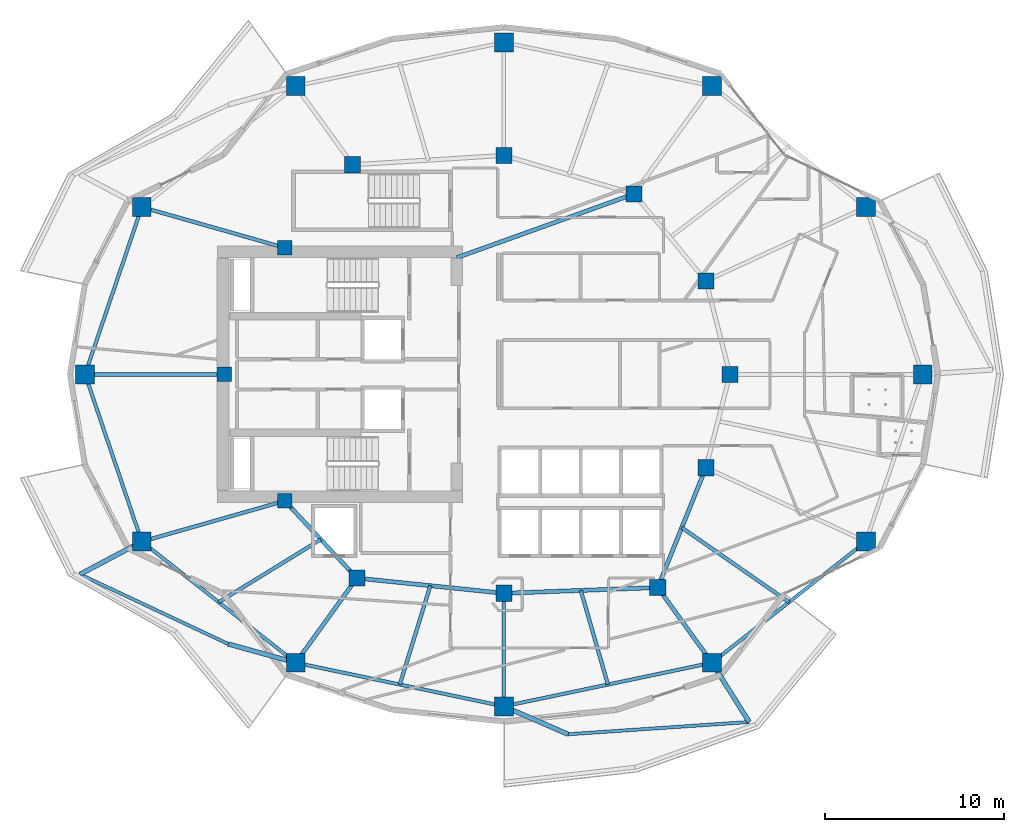
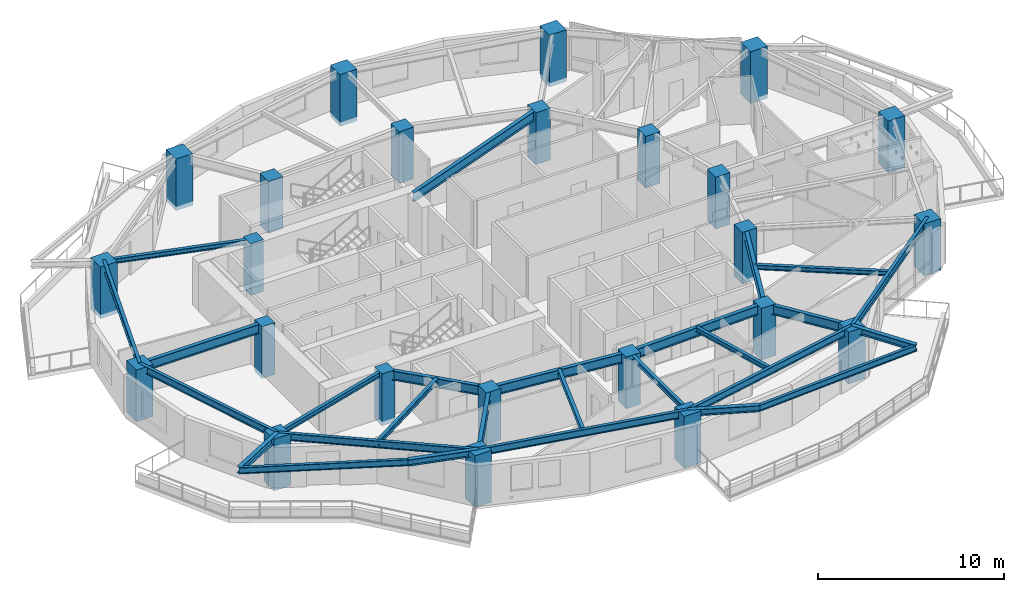
# One storey, part 1 of 15: 27 beams, 24 columns.
"""IFC4 building model written with IfcOpenShell, lengths in metres."""

from ifc_helpers import new_model, si_unit, direction, frame, origin, origin_2d, place, context, subcontext, project, spatial, rectangle, i_section, extrude, material, material_profile, profile_set, type_object, element, save


model = new_model("IFC4")

# Units and contexts
model_context = context("Model", 3, precision=1e-05, world=origin(), true_north=direction((0.0, 1.0)))
body_context = subcontext(model_context, "Body", "Model", "MODEL_VIEW")
ifc_project = project(units=[si_unit("LENGTHUNIT", "METRE"), si_unit("AREAUNIT", "SQUARE_METRE"), si_unit("VOLUMEUNIT", "CUBIC_METRE"), si_unit("PLANEANGLEUNIT", "RADIAN"), si_unit("MASSUNIT", "GRAM", prefix="KILO")], contexts=[model_context])

# Site, building, storey
site_placement = place(None, origin())
site = spatial("IfcSite", under=ifc_project, at=site_placement, CompositionType="ELEMENT")
building_placement = place(site_placement, origin())
building = spatial("IfcBuilding", under=site, at=building_placement, Name="Kolvaren Gate Tower and Convention Centre", CompositionType="ELEMENT")
storey_placement = place(building_placement, frame((0.0, 0.0, 129.10009765625)))
storey = spatial("IfcBuildingStorey", under=building, at=storey_placement, Name="L32", CompositionType="ELEMENT", Elevation=129.10009765625)

# Columns
ifc_material_1 = material(Name="Concrete C60/75", Category="concrete")
ifc_material_profile_1 = material_profile(ifc_material_1, rectangle(XDim=1.050048828125, YDim=1.050048828125, at=origin_2d()), Name="RC-COL-1050X1050")
ifc_profile_set_1 = profile_set([ifc_material_profile_1], Name="Concrete C60/75")
column_type_1 = type_object("IfcColumnType", Name="STR-COL-RC1050", PredefinedType="COLUMN", material=ifc_profile_set_1)
for number, where, z_axis, x_axis, name in (
    (1, (53.46240234375, 27.0, -0.27001953125), (0.0, 0.0, 1.0), (1.0, 0.0, 0.0), "Tower L32 Perimeter Supercolumn TP-01"),
    (2, (50.30029296875, 36.318603515625, -0.27001953125), (0.0, 0.0, 1.0), (1.0, 0.0, 0.0), "Tower L32 Perimeter Supercolumn TP-02"),
    (3, (41.721435546875, 43.068359375, -0.27001953125), (0.0, 0.0, 1.0), (1.0, 0.0, 0.0), "Tower L32 Perimeter Supercolumn TP-03"),
    (4, (30.125, 45.5, -0.27001953125), (0.0, 0.0, 1.0), (1.0, 0.0, 0.0), "Tower L32 Perimeter Supercolumn TP-04"),
    (5, (18.52880859375, 43.068359375, -0.27001953125), (0.0, 0.0, 1.0), (1.0, 0.0, 0.0), "Tower L32 Perimeter Supercolumn TP-05"),
    (6, (9.94970703125, 36.318603515625, -0.27001953125), (0.0, 0.0, 1.0), (1.0, 0.0, 0.0), "Tower L32 Perimeter Supercolumn TP-06"),
    (7, (6.78759765625, 27.0, -0.27001953125), (0.0, 0.0, 1.0), (1.0, 0.0, 0.0), "Tower L32 Perimeter Supercolumn TP-07"),
    (8, (9.94970703125, 17.681396484375, -0.27001953125), (0.0, 0.0, 1.0), (1.0, 0.0, 0.0), "Tower L32 Perimeter Supercolumn TP-08"),
    (9, (18.528564453125, 10.931640625, -0.27001953125), (0.0, 0.0, 1.0), (1.0, 0.0, 0.0), "Tower L32 Perimeter Supercolumn TP-09"),
    (10, (30.125, 8.5, -0.27001953125), (0.0, 0.0, 1.0), (1.0, 0.0, 0.0), "Tower L32 Perimeter Supercolumn TP-10"),
    (11, (41.721435546875, 10.931640625, -0.27001953125), (0.0, 0.0, 1.0), (1.0, 0.0, 0.0), "Tower L32 Perimeter Supercolumn TP-11"),
    (12, (50.30029296875, 17.681396484375, -0.27001953125), (0.0, 0.0, 1.0), (1.0, 0.0, 0.0), "Tower L32 Perimeter Supercolumn TP-12"),
):
    element("IfcColumn", number, at=place(storey_placement, frame(where, z_axis=z_axis, x_axis=x_axis)), inside=storey, type_object=column_type_1, Name=name, PredefinedType="COLUMN", context=body_context, shape_type="SweptSolid", body=[
        extrude(rectangle(XDim=1.050048828125, YDim=1.050048828125, at=origin_2d()), origin(), (0.0, 0.0, 1.0), 3.39990234375),
    ])
ifc_material_profile_2 = material_profile(ifc_material_1, rectangle(XDim=0.89990234375, YDim=0.89990234375, at=origin_2d()), Name="RC-COL-900X900")
ifc_profile_set_2 = profile_set([ifc_material_profile_2], Name="Concrete C60/75")
column_type_2 = type_object("IfcColumnType", Name="STR-COL-RC900", PredefinedType="COLUMN", material=ifc_profile_set_2)
for number, where, z_axis, x_axis, name in (
    (13, (42.72509765625, 27.0, -0.27001953125), (0.0, 0.0, 1.0), (1.0, 0.0, 0.0), "Tower L32 Interior Column TI-01"),
    (14, (41.382080078125, 32.199462890625, -0.27001953125), (0.0, 0.0, 1.0), (1.0, 0.0, 0.0), "Tower L32 Interior Column TI-02"),
    (15, (37.381591796875, 37.054931640625, -0.27001953125), (0.0, 0.0, 1.0), (1.0, 0.0, 0.0), "Tower L32 Interior Column TI-03"),
    (16, (30.125, 39.199951171875, -0.27001953125), (0.0, 0.0, 1.0), (1.0, 0.0, 0.0), "Tower L32 Interior Column TI-04"),
    (17, (21.697998046875, 38.6767578125, -0.27001953125), (0.0, 0.0, 1.0), (1.0, 0.0, 0.0), "Tower L32 Interior Column TI-05"),
    (18, (21.93212890625, 15.647705078125, -0.27001953125), (0.0, 0.0, 1.0), (1.0, 0.0, 0.0), "Tower L32 Interior Column TI-06"),
    (19, (30.125, 14.800048828125, -0.27001953125), (0.0, 0.0, 1.0), (1.0, 0.0, 0.0), "Tower L32 Interior Column TI-07"),
    (20, (38.6982421875, 15.12060546875, -0.27001953125), (0.0, 0.0, 1.0), (1.0, 0.0, 0.0), "Tower L32 Interior Column TI-08"),
    (21, (41.382080078125, 21.800537109375, -0.27001953125), (0.0, 0.0, 1.0), (1.0, 0.0, 0.0), "Tower L32 Interior Column TI-09"),
):
    element("IfcColumn", number, at=place(storey_placement, frame(where, z_axis=z_axis, x_axis=x_axis)), inside=storey, type_object=column_type_2, Name=name, PredefinedType="COLUMN", context=body_context, shape_type="SweptSolid", body=[
        extrude(rectangle(XDim=0.89990234375, YDim=0.89990234375, at=origin_2d()), origin(), (0.0, 0.0, 1.0), 3.39990234375),
    ])
ifc_material_profile_3 = material_profile(ifc_material_1, rectangle(XDim=0.800048828125, YDim=0.800048828125, at=origin_2d()), Name="RC-COL-800X800")
ifc_profile_set_3 = profile_set([ifc_material_profile_3], Name="Concrete C60/75")
column_type_3 = type_object("IfcColumnType", Name="STR-PIL-RC800", PredefinedType="PILASTER", material=ifc_profile_set_3)
for number, where, z_axis, x_axis, name in (
    (22, (17.9140625, 34.050048828125, -0.27001953125), (0.0, 0.0, 1.0), (1.0, 0.0, 0.0), "Tower L32 Core Boundary Pilaster TC-05"),
    (23, (14.550048828125, 27.0, -0.27001953125), (0.0, 0.0, 1.0), (1.0, 0.0, 0.0), "Tower L32 Core Boundary Pilaster TC-06"),
    (24, (17.9140625, 19.949951171875, -0.27001953125), (0.0, 0.0, 1.0), (1.0, 0.0, 0.0), "Tower L32 Core Boundary Pilaster TC-07"),
):
    element("IfcColumn", number, at=place(storey_placement, frame(where, z_axis=z_axis, x_axis=x_axis)), inside=storey, type_object=column_type_3, Name=name, PredefinedType="PILASTER", context=body_context, shape_type="SweptSolid", body=[
        extrude(rectangle(XDim=0.800048828125, YDim=0.800048828125, at=origin_2d()), origin(), (0.0, 0.0, 1.0), 3.39990234375),
    ])

# Beams
ifc_material_2 = material(Name="Structural steel ASTM A992 Grade 345 MPa", Category="steel")
ifc_material_profile_4 = material_profile(ifc_material_2, i_section(OverallWidth=0.260009765625, OverallDepth=0.419921875, WebThickness=0.013427734375, FlangeThickness=0.0224609375, at=origin_2d()), Name="W410X132")
ifc_profile_set_4 = profile_set([ifc_material_profile_4], Name="Structural steel ASTM A992 Grade 345 MPa")
beam_type_1 = type_object("IfcBeamType", Name="STR-BM-W410X132", PredefinedType="BEAM", material=ifc_profile_set_4)
for number, where, z_axis, x_axis, name in (
    (25, (9.94970703125, 17.681396484375, 2.92041015625), (-0.883728523532, -0.467999889632, 0.0), (0.467999889632, -0.883728523532, 0.0), "Tower L33 Planted Balcony Outrigger Cantilever BC-2A"),
    (26, (18.528564453125, 10.931640625, 2.92041015625), (-0.963559154052, 0.267495339479, 0.0), (-0.267495339479, -0.963559154052, 0.0), "Tower L33 Planted Balcony Outrigger Cantilever BC-2B"),
    (27, (30.125, 8.5, 2.92041015625), (0.917050150006, -0.398771892657, 0.0), (0.398771892657, 0.917050150006, 0.0), "Tower L33 Planted Balcony Outrigger Cantilever BC-3A"),
    (28, (41.721435546875, 10.931640625, 2.92041015625), (0.531489309578, -0.847064999752, 0.0), (0.847064999752, 0.531489309578, 0.0), "Tower L33 Planted Balcony Outrigger Cantilever BC-3B"),
):
    element("IfcBeam", number, at=place(storey_placement, frame(where, z_axis=z_axis, x_axis=x_axis)), inside=storey, type_object=beam_type_1, Name=name, PredefinedType="BEAM", context=body_context, shape_type="SweptSolid", body=[
        extrude(i_section(OverallWidth=0.260009765625, OverallDepth=0.419921875, WebThickness=0.013427734375, FlangeThickness=0.0224609375, at=origin_2d()), origin(), (0.0, 0.0, 1.0), 3.89990234375),
    ])
ifc_material_profile_5 = material_profile(ifc_material_2, i_section(OverallWidth=0.22998046875, OverallDepth=0.616943359375, WebThickness=0.01318359375, FlangeThickness=0.022216796875, at=origin_2d()), Name="W610X140")
ifc_profile_set_5 = profile_set([ifc_material_profile_5], Name="Structural steel ASTM A992 Grade 345 MPa")
beam_type_2 = type_object("IfcBeamType", Name="STR-BM-W610X140", PredefinedType="BEAM", material=ifc_profile_set_5)
beam_1_placement = place(storey_placement, frame((17.9140625, 19.949951171875, 2.8212890625), z_axis=(0.682557592987, -0.730831808459, 0.0), x_axis=(0.730831808459, 0.682557592987, 0.0)))
element("IfcBeam", 29, at=beam_1_placement, inside=storey, type_object=beam_type_2, Name="Tower L32 Primary Ring Girder G-06", PredefinedType="BEAM", context=body_context, shape_type="SweptSolid", body=[
    extrude(i_section(OverallWidth=0.22998046875, OverallDepth=0.616943359375, WebThickness=0.01318359375, FlangeThickness=0.022216796875, at=origin_2d()), origin(), (0.0, 0.0, 1.0), 5.88671875),
])
beam_2_placement = place(storey_placement, frame((21.93212890625, 15.647705078125, 2.8212890625), z_axis=(0.994690329115, -0.102913308978, 0.0), x_axis=(0.102913308978, 0.994690329115, 0.0)))
element("IfcBeam", 30, at=beam_2_placement, inside=storey, type_object=beam_type_2, Name="Tower L32 Primary Ring Girder G-07", PredefinedType="BEAM", context=body_context, shape_type="SweptSolid", body=[
    extrude(i_section(OverallWidth=0.22998046875, OverallDepth=0.616943359375, WebThickness=0.01318359375, FlangeThickness=0.022216796875, at=origin_2d()), origin(), (0.0, 0.0, 1.0), 8.236572265625),
])
beam_3_placement = place(storey_placement, frame((30.125, 14.800048828125, 2.8212890625), z_axis=(0.999301712453, 0.037364254142, 0.0), x_axis=(-0.037364254142, 0.999301712453, 0.0)))
element("IfcBeam", 31, at=beam_3_placement, inside=storey, type_object=beam_type_2, Name="Tower L32 Primary Ring Girder G-08", PredefinedType="BEAM", context=body_context, shape_type="SweptSolid", body=[
    extrude(i_section(OverallWidth=0.22998046875, OverallDepth=0.616943359375, WebThickness=0.01318359375, FlangeThickness=0.022216796875, at=origin_2d()), origin(), (0.0, 0.0, 1.0), 8.579345703125),
])
beam_4_placement = place(storey_placement, frame((38.6982421875, 15.12060546875, 2.8212890625), z_axis=(0.372811100169, 0.927907260232, 0.0), x_axis=(-0.927907260232, 0.372811100169, 0.0)))
element("IfcBeam", 32, at=beam_4_placement, inside=storey, type_object=beam_type_2, Name="Tower L32 Primary Ring Girder G-09", PredefinedType="BEAM", context=body_context, shape_type="SweptSolid", body=[
    extrude(i_section(OverallWidth=0.22998046875, OverallDepth=0.616943359375, WebThickness=0.01318359375, FlangeThickness=0.022216796875, at=origin_2d()), origin(), (0.0, 0.0, 1.0), 7.198974609375),
])
beam_5_placement = place(storey_placement, frame((27.5, 33.5, 2.8212890625), z_axis=(0.940961479908, 0.338513653093, 0.0), x_axis=(-0.338513653093, 0.940961479908, 0.0)))
element("IfcBeam", 33, at=beam_5_placement, inside=storey, type_object=beam_type_2, Name="Tower L32 Primary Ring Girder G-10", PredefinedType="BEAM", context=body_context, shape_type="SweptSolid", body=[
    extrude(i_section(OverallWidth=0.22998046875, OverallDepth=0.616943359375, WebThickness=0.01318359375, FlangeThickness=0.022216796875, at=origin_2d()), origin(), (0.0, 0.0, 1.0), 10.501708984375),
])
beam_6_placement = place(storey_placement, frame((14.550048828125, 27.0, 2.8212890625), z_axis=(-1.0, 0.0, 0.0), x_axis=(0.0, -1.0, 0.0)))
element("IfcBeam", 34, at=beam_6_placement, inside=storey, type_object=beam_type_2, Name="Tower L32 Radial Floor Girder RB-07", PredefinedType="BEAM", context=body_context, shape_type="SweptSolid", body=[
    extrude(i_section(OverallWidth=0.22998046875, OverallDepth=0.616943359375, WebThickness=0.01318359375, FlangeThickness=0.022216796875, at=origin_2d()), origin(), (0.0, 0.0, 1.0), 7.762451171875),
])
beam_7_placement = place(storey_placement, frame((21.93212890625, 15.647705078125, 2.8212890625), z_axis=(-0.585210043569, -0.810881745328, 0.0), x_axis=(0.810881745328, -0.585210043569, 0.0)))
element("IfcBeam", 35, at=beam_7_placement, inside=storey, type_object=beam_type_2, Name="Tower L32 Radial Floor Girder RB-09", PredefinedType="BEAM", context=body_context, shape_type="SweptSolid", body=[
    extrude(i_section(OverallWidth=0.22998046875, OverallDepth=0.616943359375, WebThickness=0.01318359375, FlangeThickness=0.022216796875, at=origin_2d()), origin(), (0.0, 0.0, 1.0), 5.81591796875),
])
beam_8_placement = place(storey_placement, frame((38.6982421875, 15.12060546875, 2.8212890625), z_axis=(0.585214440031, -0.810878572401, 0.0), x_axis=(0.810878572401, 0.585214440031, 0.0)))
element("IfcBeam", 36, at=beam_8_placement, inside=storey, type_object=beam_type_2, Name="Tower L32 Radial Floor Girder RB-11", PredefinedType="BEAM", context=body_context, shape_type="SweptSolid", body=[
    extrude(i_section(OverallWidth=0.22998046875, OverallDepth=0.616943359375, WebThickness=0.01318359375, FlangeThickness=0.022216796875, at=origin_2d()), origin(), (0.0, 0.0, 1.0), 5.166015625),
])
ifc_material_profile_6 = material_profile(ifc_material_2, i_section(OverallWidth=0.205078125, OverallDepth=0.31005859375, WebThickness=0.009521484375, FlangeThickness=0.016357421875, at=origin_2d()), Name="W310X74")
ifc_profile_set_6 = profile_set([ifc_material_profile_6], Name="Structural steel ASTM A992 Grade 345 MPa")
beam_type_3 = type_object("IfcBeamType", Name="STR-JS-W310X74", PredefinedType="JOIST", material=ifc_profile_set_6)
for number, where, z_axis, x_axis, name in (
    (37, (17.9140625, 34.050048828125, 2.974853515625), (-0.961746134311, 0.27394228067, 0.0), (-0.27394228067, -0.961746134311, 0.0), "Tower L32 Radial Floor Girder RB-06"),
    (38, (17.9140625, 19.949951171875, 2.974853515625), (-0.961746134311, -0.27394228067, 0.0), (0.27394228067, -0.961746134311, 0.0), "Tower L32 Radial Floor Girder RB-08"),
):
    element("IfcBeam", number, at=place(storey_placement, frame(where, z_axis=z_axis, x_axis=x_axis)), inside=storey, type_object=beam_type_3, Name=name, PredefinedType="JOIST", context=body_context, shape_type="SweptSolid", body=[
        extrude(i_section(OverallWidth=0.205078125, OverallDepth=0.31005859375, WebThickness=0.009521484375, FlangeThickness=0.016357421875, at=origin_2d()), origin(), (0.0, 0.0, 1.0), 8.28125),
    ])
beam_9_placement = place(storey_placement, frame((30.125, 14.800048828125, 2.974853515625), z_axis=(0.0, -1.0, 0.0), x_axis=(1.0, 0.0, 0.0)))
element("IfcBeam", 39, at=beam_9_placement, inside=storey, type_object=beam_type_3, Name="Tower L32 Radial Floor Girder RB-10", PredefinedType="JOIST", context=body_context, shape_type="SweptSolid", body=[
    extrude(i_section(OverallWidth=0.205078125, OverallDepth=0.31005859375, WebThickness=0.009521484375, FlangeThickness=0.016357421875, at=origin_2d()), origin(), (0.0, 0.0, 1.0), 6.300048828125),
])
beam_10_placement = place(storey_placement, frame((19.923095703125, 17.798828125, 2.974853515625), z_axis=(-0.852013723702, -0.523519450091, 0.0), x_axis=(0.523519450091, -0.852013723702, 0.0)))
element("IfcBeam", 40, at=beam_10_placement, inside=storey, type_object=beam_type_3, Name="Tower L32 Secondary Composite Floor Joist J-08.1", PredefinedType="JOIST", context=body_context, shape_type="SweptSolid", body=[
    extrude(i_section(OverallWidth=0.205078125, OverallDepth=0.31005859375, WebThickness=0.009521484375, FlangeThickness=0.016357421875, at=origin_2d()), origin(), (0.0, 0.0, 1.0), 6.671142578125),
])
beam_11_placement = place(storey_placement, frame((26.028564453125, 15.223876953125, 2.974853515625), z_axis=(-0.295174836894, -0.95544325612, 0.0), x_axis=(0.95544325612, -0.295174836894, 0.0)))
element("IfcBeam", 41, at=beam_11_placement, inside=storey, type_object=beam_type_3, Name="Tower L32 Secondary Composite Floor Joist J-09.1", PredefinedType="JOIST", context=body_context, shape_type="SweptSolid", body=[
    extrude(i_section(OverallWidth=0.205078125, OverallDepth=0.31005859375, WebThickness=0.009521484375, FlangeThickness=0.016357421875, at=origin_2d()), origin(), (0.0, 0.0, 1.0), 5.764892578125),
])
beam_12_placement = place(storey_placement, frame((34.41162109375, 14.960205078125, 2.974853515625), z_axis=(0.27693589933, -0.960888395009, 0.0), x_axis=(0.960888395009, 0.27693589933, 0.0)))
element("IfcBeam", 42, at=beam_12_placement, inside=storey, type_object=beam_type_3, Name="Tower L32 Secondary Composite Floor Joist J-10.1", PredefinedType="JOIST", context=body_context, shape_type="SweptSolid", body=[
    extrude(i_section(OverallWidth=0.205078125, OverallDepth=0.31005859375, WebThickness=0.009521484375, FlangeThickness=0.016357421875, at=origin_2d()), origin(), (0.0, 0.0, 1.0), 5.457763671875),
])
beam_13_placement = place(storey_placement, frame((40.040283203125, 18.46044921875, 2.974853515625), z_axis=(0.820871677882, -0.571112675792, 0.0), x_axis=(0.571112675792, 0.820871677882, 0.0)))
element("IfcBeam", 43, at=beam_13_placement, inside=storey, type_object=beam_type_3, Name="Tower L32 Secondary Composite Floor Joist J-11.1", PredefinedType="JOIST", context=body_context, shape_type="SweptSolid", body=[
    extrude(i_section(OverallWidth=0.205078125, OverallDepth=0.31005859375, WebThickness=0.009521484375, FlangeThickness=0.016357421875, at=origin_2d()), origin(), (0.0, 0.0, 1.0), 7.273681640625),
])
ifc_material_profile_7 = material_profile(ifc_material_2, i_section(OverallWidth=0.180908203125, OverallDepth=0.4169921875, WebThickness=0.010986328125, FlangeThickness=0.018310546875, at=origin_2d()), Name="W410X85")
ifc_profile_set_7 = profile_set([ifc_material_profile_7], Name="Structural steel ASTM A992 Grade 345 MPa")
beam_type_4 = type_object("IfcBeamType", Name="STR-SP-W410X85", PredefinedType="SPANDREL", material=ifc_profile_set_7)
beam_14_placement = place(storey_placement, frame((6.503173828125, 15.856201171875, 2.921875), z_axis=(0.905209664084, -0.424965250402, 0.0), x_axis=(0.424965250402, 0.905209664084, 0.0)))
element("IfcBeam", 44, at=beam_14_placement, inside=storey, type_object=beam_type_4, Name="Tower L33 Planted Balcony Header Tie Beam BT-2", PredefinedType="SPANDREL", context=body_context, shape_type="SweptSolid", body=[
    extrude(i_section(OverallWidth=0.180908203125, OverallDepth=0.4169921875, WebThickness=0.010986328125, FlangeThickness=0.018310546875, at=origin_2d()), origin(), (0.0, 0.0, 1.0), 9.13330078125),
])
beam_15_placement = place(storey_placement, frame((33.701416015625, 6.94482421875, 2.921875), z_axis=(0.997715743808, 0.067552161754, 0.0), x_axis=(-0.067552161754, 0.997715743808, 0.0)))
element("IfcBeam", 45, at=beam_15_placement, inside=storey, type_object=beam_type_4, Name="Tower L33 Planted Balcony Header Tie Beam BT-3", PredefinedType="SPANDREL", context=body_context, shape_type="SweptSolid", body=[
    extrude(i_section(OverallWidth=0.180908203125, OverallDepth=0.4169921875, WebThickness=0.010986328125, FlangeThickness=0.018310546875, at=origin_2d()), origin(), (0.0, 0.0, 1.0), 10.115966796875),
])
ifc_material_profile_8 = material_profile(ifc_material_2, i_section(OverallWidth=0.194091796875, OverallDepth=0.468994140625, WebThickness=0.0126953125, FlangeThickness=0.0205078125, at=origin_2d()), Name="W460X106")
ifc_profile_set_8 = profile_set([ifc_material_profile_8], Name="Structural steel ASTM A992 Grade 345 MPa")
beam_type_5 = type_object("IfcBeamType", Name="STR-SP-W460X106", PredefinedType="SPANDREL", material=ifc_profile_set_8)
for number, where, z_axis, x_axis, name in (
    (46, (9.94970703125, 36.318603515625, 2.8955078125), (-0.321336471485, -0.946965084939, 0.0), (0.946965084939, -0.321336471485, 0.0), "Tower L32 Perimeter Spandrel Beam SP-06"),
    (47, (6.78759765625, 27.0, 2.8955078125), (0.321336471485, -0.946965084939, 0.0), (0.946965084939, 0.321336471485, 0.0), "Tower L32 Perimeter Spandrel Beam SP-07"),
):
    element("IfcBeam", number, at=place(storey_placement, frame(where, z_axis=z_axis, x_axis=x_axis)), inside=storey, type_object=beam_type_5, Name=name, PredefinedType="SPANDREL", context=body_context, shape_type="SweptSolid", body=[
        extrude(i_section(OverallWidth=0.194091796875, OverallDepth=0.468994140625, WebThickness=0.0126953125, FlangeThickness=0.0205078125, at=origin_2d()), origin(), (0.0, 0.0, 1.0), 9.840576171875),
    ])
beam_16_placement = place(storey_placement, frame((9.94970703125, 17.681396484375, 2.8955078125), z_axis=(0.785907610354, -0.618343939881, 0.0), x_axis=(0.618343939881, 0.785907610354, 0.0)))
element("IfcBeam", 48, at=beam_16_placement, inside=storey, type_object=beam_type_5, Name="Tower L32 Perimeter Spandrel Beam SP-08", PredefinedType="SPANDREL", context=body_context, shape_type="SweptSolid", body=[
    extrude(i_section(OverallWidth=0.194091796875, OverallDepth=0.468994140625, WebThickness=0.0126953125, FlangeThickness=0.0205078125, at=origin_2d()), origin(), (0.0, 0.0, 1.0), 10.915771484375),
])
for number, where, z_axis, x_axis, name in (
    (49, (18.528564453125, 10.931640625, 2.8955078125), (0.978714746947, -0.205225349578, 0.0), (0.205225349578, 0.978714746947, 0.0), "Tower L32 Perimeter Spandrel Beam SP-09"),
    (50, (30.125, 8.5, 2.8955078125), (0.978714746947, 0.205225349578, 0.0), (-0.205225349578, 0.978714746947, 0.0), "Tower L32 Perimeter Spandrel Beam SP-10"),
):
    element("IfcBeam", number, at=place(storey_placement, frame(where, z_axis=z_axis, x_axis=x_axis)), inside=storey, type_object=beam_type_5, Name=name, PredefinedType="SPANDREL", context=body_context, shape_type="SweptSolid", body=[
        extrude(i_section(OverallWidth=0.194091796875, OverallDepth=0.468994140625, WebThickness=0.0126953125, FlangeThickness=0.0205078125, at=origin_2d()), origin(), (0.0, 0.0, 1.0), 11.8486328125),
    ])
beam_17_placement = place(storey_placement, frame((41.721435546875, 10.931640625, 2.8955078125), z_axis=(0.785907610354, 0.618343939881, 0.0), x_axis=(-0.618343939881, 0.785907610354, 0.0)))
element("IfcBeam", 51, at=beam_17_placement, inside=storey, type_object=beam_type_5, Name="Tower L32 Perimeter Spandrel Beam SP-11", PredefinedType="SPANDREL", context=body_context, shape_type="SweptSolid", body=[
    extrude(i_section(OverallWidth=0.194091796875, OverallDepth=0.468994140625, WebThickness=0.0126953125, FlangeThickness=0.0205078125, at=origin_2d()), origin(), (0.0, 0.0, 1.0), 10.915771484375),
])

save(model, "model.ifc")
